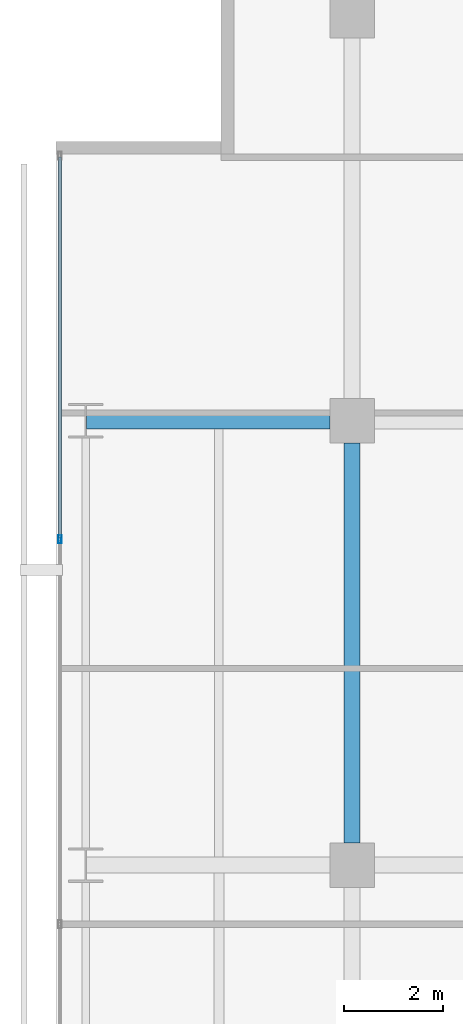
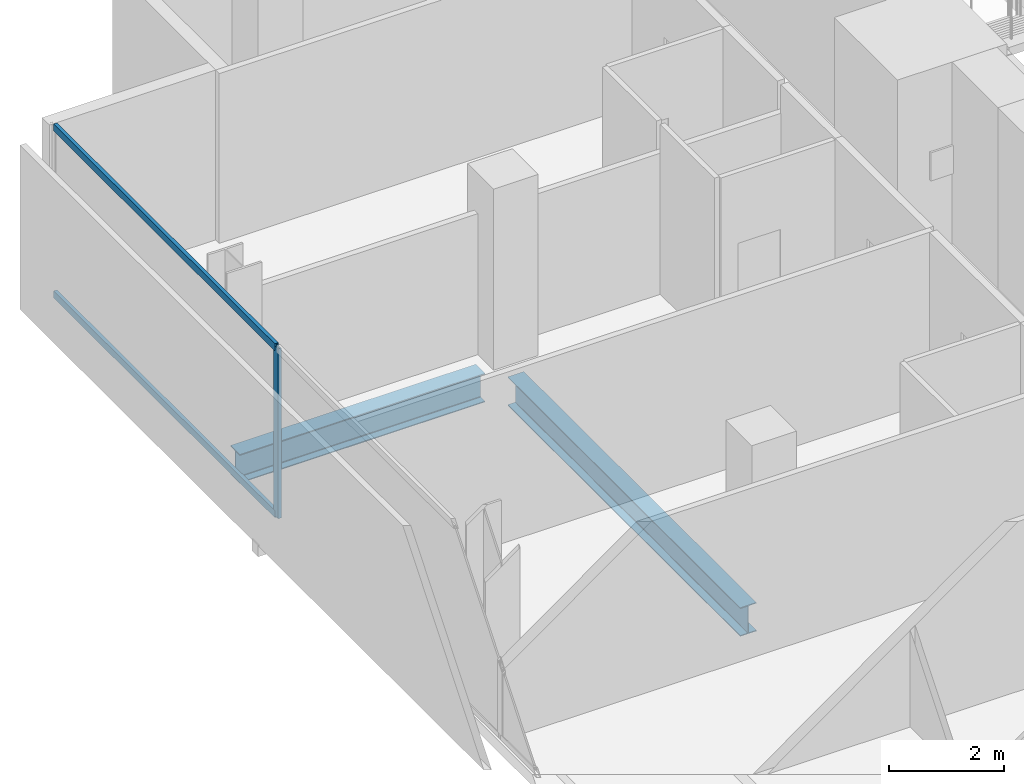
# One storey, part 23 of 40: 3 members, 2 beams, 1 element without a shape of its own.
"""IFC4 building model written with IfcOpenShell, lengths in metres."""

import ifcopenshell
import ifcopenshell.guid

model = None  # the IFC model being written
_history = None  # IfcOwnerHistory: only IFC2X3 demands one
_inside = {}  # id of a spatial element -> (the spatial element, [elements in it])
_under = {}  # id of a project, library or spatial element -> (it, [spatial elements below it])
_declared = {}  # id of a project -> (the project, [libraries it declares])
_typed = {}  # id of a type object -> (the type object, [elements of that type])
_made_of = {}  # id of a material, layer set ... -> (it, [elements and type objects made of it])


def new_model(schema):
    """Start an empty IFC model of exactly this schema.

    Asked for "IFC4X3", IfcOpenShell would pick the latest addendum, in which some entities
    have other attributes; the version numbers below select the first issue.
    IFC2X3 requires an IfcOwnerHistory on every rooted entity: one is made here for all.
    """
    global model, _history
    if schema == "IFC4X3":
        model = ifcopenshell.file(schema_version=(4, 3, 0, 0))
    else:
        model = ifcopenshell.file(schema=schema)
    _inside.clear()
    _under.clear()
    _declared.clear()
    _typed.clear()
    _made_of.clear()
    _history = None
    if model.schema == "IFC2X3":
        org = make("IfcOrganization", Name="unknown")
        user = make(
            "IfcPersonAndOrganization",
            ThePerson=make("IfcPerson", FamilyName="unknown"),
            TheOrganization=org,
        )
        app = make(
            "IfcApplication",
            ApplicationDeveloper=org,
            Version="unknown",
            ApplicationFullName="unknown",
            ApplicationIdentifier="unknown",
        )
        _history = make(
            "IfcOwnerHistory",
            OwningUser=user,
            OwningApplication=app,
            ChangeAction="ADDED",
            CreationDate=0,
        )
    return model


def make(cls, **values):
    """One entity of the class cls with the attributes given. An attribute that is None is left unset."""
    return model.create_entity(
        cls, **{name: value for name, value in values.items() if value is not None}
    )


def rooted(cls, **values):
    """An entity with a GlobalId (a new one), such as an element, a storey or a relation."""
    return make(cls, GlobalId=ifcopenshell.guid.new(), OwnerHistory=_history, **values)


def si_unit(unit_type, name, prefix=None):
    """IfcSIUnit, for example si_unit("LENGTHUNIT", "METRE", prefix="MILLI")."""
    return make("IfcSIUnit", UnitType=unit_type, Prefix=prefix, Name=name)


def assignment(units):
    """IfcUnitAssignment: the units of a project."""
    return None if units is None else make("IfcUnitAssignment", Units=units)


def point(xyz):
    """IfcCartesianPoint."""
    return None if xyz is None else make("IfcCartesianPoint", Coordinates=xyz)


def direction(xyz):
    """IfcDirection."""
    return None if xyz is None else make("IfcDirection", DirectionRatios=xyz)


def frame(location, z_axis=None, x_axis=None):
    """IfcAxis2Placement3D, a coordinate frame: its origin and axes. An axis left out is left unset."""
    return make(
        "IfcAxis2Placement3D",
        Location=point(location),
        Axis=direction(z_axis),
        RefDirection=direction(x_axis),
    )


def frame_2d(location, x_axis=None):
    """IfcAxis2Placement2D, a coordinate frame in the plane: its origin and x axis."""
    return make(
        "IfcAxis2Placement2D", Location=point(location), RefDirection=direction(x_axis)
    )


def origin():
    """The frame at (0, 0, 0) with its axes left unset."""
    return frame((0.0, 0.0, 0.0))


def origin_2d():
    """The frame at (0, 0) in the plane with its x axis left unset."""
    return frame_2d((0.0, 0.0))


def place(relative_to, where):
    """IfcLocalPlacement: puts the frame where relative to a parent placement (None: the world)."""
    return make(
        "IfcLocalPlacement", PlacementRelTo=relative_to, RelativePlacement=where
    )


def context(
    kind, dimensions, precision=None, world=None, true_north=None, identifier=None
):
    """IfcGeometricRepresentationContext, for example the 3D "Model" context."""
    return make(
        "IfcGeometricRepresentationContext",
        ContextIdentifier=identifier,
        ContextType=kind,
        CoordinateSpaceDimension=dimensions,
        Precision=precision,
        WorldCoordinateSystem=world,
        TrueNorth=true_north,
    )


def subcontext(parent, identifier, kind, view, scale=None):
    """IfcGeometricRepresentationSubContext, for example "Body" below "Model"."""
    return make(
        "IfcGeometricRepresentationSubContext",
        ContextIdentifier=identifier,
        ContextType=kind,
        ParentContext=parent,
        TargetScale=scale,
        TargetView=view,
    )


def project(units=None, contexts=None):
    """IfcProject with its units and contexts."""
    return rooted(
        "IfcProject",
        Name="project",
        RepresentationContexts=contexts,
        UnitsInContext=assignment(units),
    )


def spatial(cls, under=None, at=None, **own):
    """A site, building, storey or space (cls), placed at a placement, below another one or the project."""
    s = rooted(cls, ObjectPlacement=at, **own)
    if under is not None:
        _under.setdefault(under.id(), (under, []))[1].append(s)
    return s


def profile(cls, at=None, kind="AREA", **sizes):
    """A parametric profile (cls). Its sizes go by their IFC names, for example OverallWidth=200.0."""
    return make(cls, ProfileType=kind, Position=at, **sizes)


def hollow_rectangle(**sizes):
    """IfcRectangleHollowProfileDef."""
    return profile("IfcRectangleHollowProfileDef", **sizes)


def i_section(**sizes):
    """IfcIShapeProfileDef."""
    return profile("IfcIShapeProfileDef", **sizes)


def extrude(swept, where, along, depth):
    """IfcExtrudedAreaSolid: the profile swept, set in the frame where, extruded along a direction by depth."""
    return make(
        "IfcExtrudedAreaSolid",
        SweptArea=swept,
        Position=where,
        ExtrudedDirection=direction(along),
        Depth=depth,
    )


def shape(context_of_items, identifier, shape_type, items):
    """IfcShapeRepresentation: the items that make up one representation, for example the "Body"."""
    return make(
        "IfcShapeRepresentation",
        ContextOfItems=context_of_items,
        RepresentationIdentifier=identifier,
        RepresentationType=shape_type,
        Items=items,
    )


def material(Name=None, Category=None):
    """IfcMaterial."""
    return make("IfcMaterial", Name=Name, Category=Category)


def layer(
    of_material, thickness, ventilated=None, Name=None, Category=None, Priority=None
):
    """IfcMaterialLayer: one layer of a wall or slab, of a material (None: an air gap)."""
    return make(
        "IfcMaterialLayer",
        Material=of_material,
        LayerThickness=thickness,
        IsVentilated=ventilated,
        Name=Name,
        Category=Category,
        Priority=Priority,
    )


def layer_set(layers, Name=None):
    """IfcMaterialLayerSet."""
    return make("IfcMaterialLayerSet", MaterialLayers=layers, LayerSetName=Name)


def material_profile(
    of_material, cross_section, Name=None, Category=None, Priority=None
):
    """IfcMaterialProfile: a cross section and its material."""
    return make(
        "IfcMaterialProfile",
        Name=Name,
        Material=of_material,
        Profile=cross_section,
        Priority=Priority,
        Category=Category,
    )


def profile_set(profiles, Name=None, composite=None):
    """IfcMaterialProfileSet."""
    return make(
        "IfcMaterialProfileSet",
        Name=Name,
        MaterialProfiles=profiles,
        CompositeProfile=composite,
    )


def made_of(thing, what):
    """Note that an element or type object is made of a material, layer set ...; save() writes the relation."""
    if what is not None:
        _made_of.setdefault(what.id(), (what, []))[1].append(thing)
    return thing


def type_object(cls, material=None, **own):
    """A type object (cls), such as IfcWallType, which elements share."""
    return made_of(rooted(cls, **own), material)


def element(
    cls,
    number,
    at=None,
    inside=None,
    cuts=None,
    type_object=None,
    material=None,
    context=None,
    identifier="Body",
    shape_type=None,
    held_by="IfcProductDefinitionShape",
    body=None,
    shapes=None,
    **own,
):
    """One element of the class cls, such as IfcWall. Its Tag is "e" and its number.

    at: its placement. inside: the storey or other place that contains it. cuts: it is an
    opening in that element (IfcRelVoidsElement). A single representation is given by context,
    identifier, shape_type and body (its items); several are given by shapes. held_by: the class
    of the entity that holds the representations. save() writes the other relations.
    """
    e = rooted(cls, Tag="e%d" % number, ObjectPlacement=at, **own)
    if body is not None:
        shapes = [shape(context, identifier, shape_type, body)]
    if shapes is not None:
        e.Representation = make(held_by, Representations=shapes)
    if inside is not None:
        _inside.setdefault(inside.id(), (inside, []))[1].append(e)
    if cuts is not None:
        rooted(
            "IfcRelVoidsElement", RelatingBuildingElement=cuts, RelatedOpeningElement=e
        )
    if type_object is not None:
        _typed.setdefault(type_object.id(), (type_object, []))[1].append(e)
    return made_of(e, material)


def aggregate(whole, parts):
    """IfcRelAggregates: a whole, such as a stair, and the parts it consists of."""
    return rooted("IfcRelAggregates", RelatingObject=whole, RelatedObjects=parts)


def save(model, path):
    """Write the relations noted so far, then the file.

    IfcRelAggregates (storeys below a building ...), IfcRelContainedInSpatialStructure (elements
    in a storey), IfcRelDefinesByType, IfcRelAssociatesMaterial and IfcRelDeclares: one each for
    every whole, place, type object, material and project.
    """
    for whole, parts in _under.values():
        aggregate(whole, parts)
    for where, things in _inside.values():
        rooted(
            "IfcRelContainedInSpatialStructure",
            RelatedElements=things,
            RelatingStructure=where,
        )
    for kind, things in _typed.values():
        rooted("IfcRelDefinesByType", RelatedObjects=things, RelatingType=kind)
    for what, things in _made_of.values():
        rooted("IfcRelAssociatesMaterial", RelatedObjects=things, RelatingMaterial=what)
    for by, libraries in _declared.values():
        rooted("IfcRelDeclares", RelatingContext=by, RelatedDefinitions=libraries)
    model.write(path)


model = new_model("IFC4")

# Units and contexts
model_context = context("Model", 3, precision=1e-05, world=origin(), true_north=direction((0.0, 1.0)))
body_context = subcontext(model_context, "Body", "Model", "MODEL_VIEW")
ifc_project = project(units=[si_unit("LENGTHUNIT", "METRE"), si_unit("AREAUNIT", "SQUARE_METRE"), si_unit("VOLUMEUNIT", "CUBIC_METRE"), si_unit("PLANEANGLEUNIT", "RADIAN"), si_unit("MASSUNIT", "GRAM", prefix="KILO")], contexts=[model_context])

# Site, building, storey
site_placement = place(None, origin())
site = spatial("IfcSite", under=ifc_project, at=site_placement, CompositionType="ELEMENT")
building_placement = place(site_placement, origin())
building = spatial("IfcBuilding", under=site, at=building_placement, Name="Maruvema Waterfront Hotel and Observation Tower", CompositionType="ELEMENT")
storey_placement = place(building_placement, frame((0.0, 0.0, 77.0)))
storey = spatial("IfcBuildingStorey", under=building, at=storey_placement, Name="L18", CompositionType="ELEMENT", Elevation=77.0)

# Curtain wall, members
ifc_material_1 = material(Name="Anodised bronze aluminium and solar-control low-E IGU", Category="aluminium")
ifc_layer = layer(ifc_material_1, 0.159912109375, Name="Zone 1 Bronze Inner Thermal Curtain Wall System CW-02")
ifc_layer_set = layer_set([ifc_layer], Name="Anodised bronze aluminium and solar-control low-E IGU")
curtain_wall_type = type_object("IfcCurtainWallType", Name="Zone 1 Bronze Inner Thermal Curtain Wall System CW-02", PredefinedType="USERDEFINED", material=ifc_layer_set)
curtain_wall_placement = place(storey_placement, origin())
curtain_wall = element("IfcCurtainWall", 1, at=curtain_wall_placement, inside=storey, type_object=curtain_wall_type, Name="L18 Curtain Wall CW-L18-W", ObjectType="UNITISED CURTAIN WALL", PredefinedType="USERDEFINED")
ifc_material_2 = material(Name="Anodised architectural bronze aluminium", Category="aluminium")
ifc_material_profile_1 = material_profile(ifc_material_2, hollow_rectangle(XDim=0.070068359375, YDim=0.14990234375, WallThickness=0.00390625, at=origin_2d()), Name="ALU-T70x150")
ifc_profile_set_1 = profile_set([ifc_material_profile_1], Name="Anodised architectural bronze aluminium")
member_type_1 = type_object("IfcMemberType", Name="Curtain Wall Horizontal Transom ALU-T70x150", PredefinedType="USERDEFINED", material=ifc_profile_set_1)
member_1_placement = place(storey_placement, frame((10.8798828125, 50.340087890625, 0.030029296875), z_axis=(0.0, -1.0, 0.0), x_axis=(1.0, 0.0, 0.0)))
member_1 = element("IfcMember", 2, at=member_1_placement, type_object=member_type_1, Name="CW-02 transom 1.1", ObjectType="TRANSOM", PredefinedType="USERDEFINED", context=body_context, shape_type="SweptSolid", body=[
    extrude(hollow_rectangle(XDim=0.070068359375, YDim=0.14990234375, WallThickness=0.00390625, at=origin_2d()), origin(), (0.0, 0.0, 1.0), 7.710205078125),
])
member_2_placement = place(storey_placement, frame((10.8798828125, 50.340087890625, 3.580078125), z_axis=(0.0, -1.0, 0.0), x_axis=(1.0, 0.0, 0.0)))
member_2 = element("IfcMember", 3, at=member_2_placement, type_object=member_type_1, Name="CW-02 transom 1.2", ObjectType="TRANSOM", PredefinedType="USERDEFINED", context=body_context, shape_type="SweptSolid", body=[
    extrude(hollow_rectangle(XDim=0.070068359375, YDim=0.14990234375, WallThickness=0.00390625, at=origin_2d()), origin(), (0.0, 0.0, 1.0), 7.710205078125),
])
ifc_material_3 = material(Name="Anodised architectural bronze aluminium", Category="aluminium")
ifc_material_profile_2 = material_profile(ifc_material_3, hollow_rectangle(XDim=0.06494140625, YDim=0.1650390625, WallThickness=0.00390625, at=origin_2d()), Name="ALU-M65x165")
ifc_profile_set_2 = profile_set([ifc_material_profile_2], Name="Anodised architectural bronze aluminium")
member_type_2 = type_object("IfcMemberType", Name="Curtain Wall Primary Mullion ALU-M65x165", PredefinedType="MULLION", material=ifc_profile_set_2)
member_3_placement = place(storey_placement, frame((10.8798828125, 42.60009765625, 0.0), z_axis=(0.0, 0.0, 1.0), x_axis=(1.0, 0.0, 0.0)))
member_3 = element("IfcMember", 4, at=member_3_placement, type_object=member_type_2, Name="CW-02 mullion 2", PredefinedType="MULLION", context=body_context, shape_type="SweptSolid", body=[
    extrude(hollow_rectangle(XDim=0.06494140625, YDim=0.1650390625, WallThickness=0.00390625, at=origin_2d()), origin(), (0.0, 0.0, 1.0), 3.610107421875),
])
aggregate(curtain_wall, [member_3, member_1, member_2])

# Beams
ifc_material_4 = material(Name="Steel ASTM A572 Grade 50", Category="steel")
ifc_material_profile_3 = material_profile(ifc_material_4, i_section(OverallWidth=0.323974609375, OverallDepth=0.611083984375, WebThickness=0.0126953125, FlangeThickness=0.01904296875, FilletRadius=0.01806640625, at=origin_2d()), Name="W610x155.0")
ifc_profile_set_3 = profile_set([ifc_material_profile_3], Name="Steel ASTM A572 Grade 50")
beam_type = type_object("IfcBeamType", Name="Primary Floor Girder W610x155.0", PredefinedType="BEAM", material=ifc_profile_set_3)
beam_1_placement = place(storey_placement, frame((11.4140625, 45.0, -0.54541015625), z_axis=(1.0, 0.0, 0.0), x_axis=(0.0, 1.0, 0.0)))
element("IfcBeam", 5, at=beam_1_placement, inside=storey, type_object=beam_type, Name="L18 Floor Girder EW-32", PredefinedType="BEAM", context=body_context, shape_type="SweptSolid", body=[
    extrude(i_section(OverallWidth=0.323974609375, OverallDepth=0.611083984375, WebThickness=0.0126953125, FlangeThickness=0.01904296875, FilletRadius=0.01806640625, at=origin_2d()), origin(), (0.0, 0.0, 1.0), 4.93603515625),
])
beam_2_placement = place(storey_placement, frame((16.800048828125, 36.449951171875, -0.54541015625), z_axis=(0.0, 1.0, 0.0), x_axis=(-1.0, 0.0, 0.0)))
element("IfcBeam", 6, at=beam_2_placement, inside=storey, type_object=beam_type, Name="L18 Floor Girder NS-09", PredefinedType="BEAM", context=body_context, shape_type="SweptSolid", body=[
    extrude(i_section(OverallWidth=0.323974609375, OverallDepth=0.611083984375, WebThickness=0.0126953125, FlangeThickness=0.01904296875, FilletRadius=0.01806640625, at=origin_2d()), origin(), (0.0, 0.0, 1.0), 8.10009765625),
])

save(model, "model.ifc")
